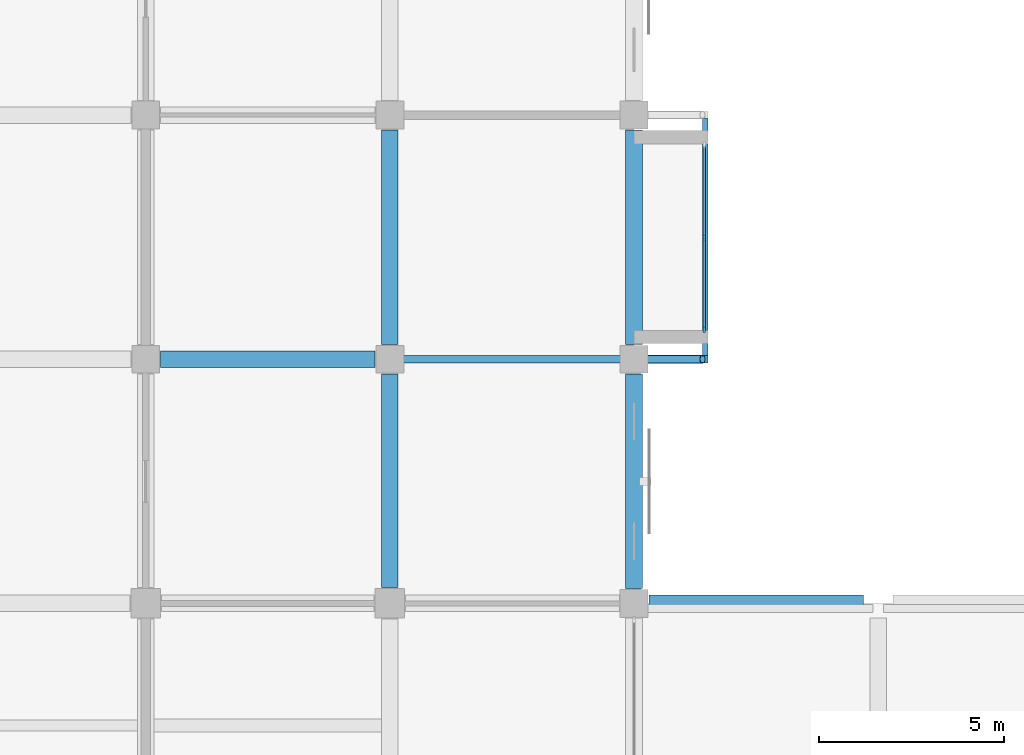
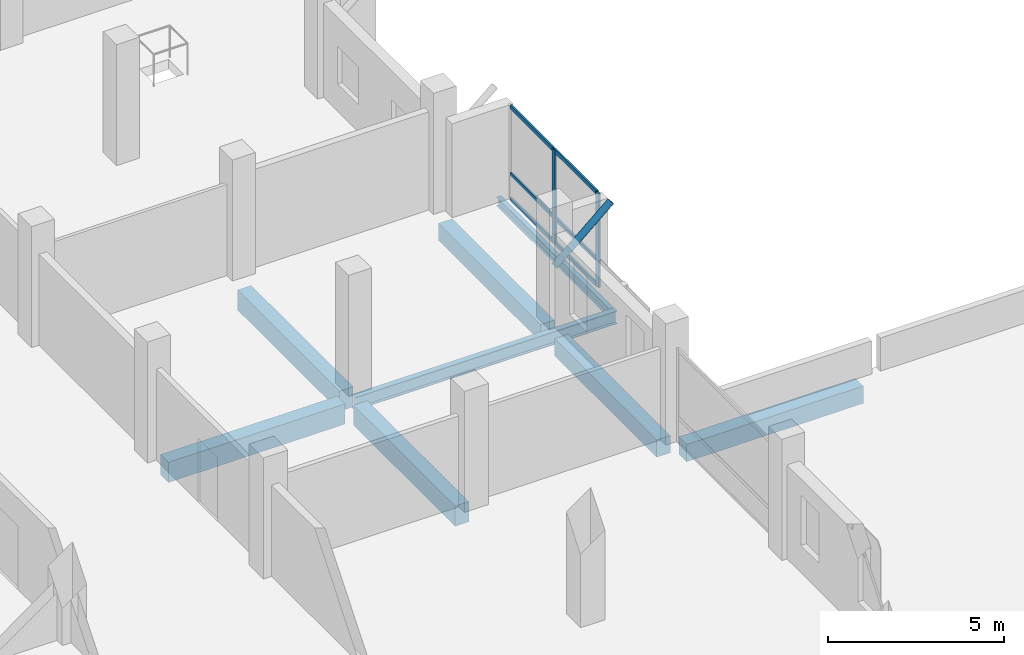
# One storey, part 8 of 23: 9 members, 8 beams, 1 element without a shape of its own.
"""IFC4 building model written with IfcOpenShell, lengths in metres."""

from ifc_helpers import new_model, si_unit, direction, frame, origin, origin_2d, place, context, subcontext, project, spatial, rectangle, hollow_circle, i_section, extrude, material, material_profile, profile_set, type_object, element, aggregate, save


model = new_model("IFC4")

# Units and contexts
model_context = context("Model", 3, precision=1e-05, world=origin(), true_north=direction((0.0, 1.0)))
body_context = subcontext(model_context, "Body", "Model", "MODEL_VIEW")
ifc_project = project(units=[si_unit("LENGTHUNIT", "METRE"), si_unit("AREAUNIT", "SQUARE_METRE"), si_unit("VOLUMEUNIT", "CUBIC_METRE"), si_unit("PLANEANGLEUNIT", "RADIAN"), si_unit("MASSUNIT", "GRAM", prefix="KILO")], contexts=[model_context])

# Site, building, storey
site_placement = place(None, origin())
site = spatial("IfcSite", under=ifc_project, at=site_placement, CompositionType="ELEMENT")
building_placement = place(site_placement, origin())
building = spatial("IfcBuilding", under=site, at=building_placement, Name="Rusizi Kubbe Research Institute", CompositionType="ELEMENT")
storey_placement = place(building_placement, frame((0.0, 0.0, 18.60009765625)))
storey = spatial("IfcBuildingStorey", under=building, at=storey_placement, Name="L04", CompositionType="ELEMENT", Elevation=18.60009765625)

# Beams
ifc_material_1 = material(Name="Steel S355", Category="steel")
ifc_material_profile_1 = material_profile(ifc_material_1, i_section(OverallWidth=0.14990234375, OverallDepth=0.300048828125, WebThickness=0.007080078125, FlangeThickness=0.0107421875, at=origin_2d()), Name="IPE 300")
ifc_profile_set_1 = profile_set([ifc_material_profile_1], Name="Steel S355")
beam_type_1 = type_object("IfcBeamType", Name="BM-IPE300", PredefinedType="BEAM", material=ifc_profile_set_1)
beam_1_placement = place(storey_placement, frame((28.324951171875, 59.4951171875, -0.489990234375), z_axis=(0.0, 1.0, 0.0), x_axis=(-1.0, 0.0, 0.0)))
element("IfcBeam", 1, at=beam_1_placement, inside=storey, type_object=beam_type_1, Name="Cumba Edge Tie Beam L04-1", PredefinedType="BEAM", context=body_context, shape_type="SweptSolid", body=[
    extrude(i_section(OverallWidth=0.14990234375, OverallDepth=0.300048828125, WebThickness=0.007080078125, FlangeThickness=0.0107421875, at=origin_2d()), origin(), (0.0, 0.0, 1.0), 6.409912109375),
])
ifc_material_2 = material(Name="Steel S355", Category="steel")
ifc_material_profile_2 = material_profile(ifc_material_2, i_section(OverallWidth=0.18994140625, OverallDepth=0.449951171875, WebThickness=0.009521484375, FlangeThickness=0.0146484375, at=origin_2d()), Name="IPE 450")
ifc_profile_set_2 = profile_set([ifc_material_profile_2], Name="Steel S355")
beam_type_2 = type_object("IfcBeamType", Name="BM-IPE450", PredefinedType="BEAM", material=ifc_profile_set_2)
beam_2_placement = place(storey_placement, frame((19.800048828125, 59.39990234375, -0.565185546875), z_axis=(1.0, 0.0, 0.0), x_axis=(0.0, 1.0, 0.0)))
element("IfcBeam", 2, at=beam_2_placement, inside=storey, type_object=beam_type_2, Name="Cumba Back-Spanned Cantilever Beam L04-1S", PredefinedType="BEAM", context=body_context, shape_type="SweptSolid", body=[
    extrude(i_section(OverallWidth=0.18994140625, OverallDepth=0.449951171875, WebThickness=0.009521484375, FlangeThickness=0.0146484375, at=origin_2d()), origin(), (0.0, 0.0, 1.0), 8.599853515625),
])
ifc_material_3 = material(Name="Concrete C40/50", Category="concrete")
ifc_material_profile_3 = material_profile(ifc_material_3, rectangle(XDim=0.449951171875, YDim=0.60009765625, at=origin_2d()), Name="RC450x600")
ifc_profile_set_3 = profile_set([ifc_material_profile_3], Name="Concrete C40/50")
beam_type_3 = type_object("IfcBeamType", Name="BM-RC450x600", PredefinedType="SPANDREL", material=ifc_profile_set_3)
for number, where, z_axis, x_axis, name in (
    (3, (26.800048828125, 52.800048828125, -0.64013671875), (1.0, 0.0, 0.0), (0.0, 1.0, 0.0), "Grid Beam H L04 (4,8)"),
    (4, (26.39990234375, 53.199951171875, -0.64013671875), (0.0, 1.0, 0.0), (-1.0, 0.0, 0.0), "Grid Beam V L04 (4,8)"),
    (5, (26.39990234375, 59.800048828125, -0.64013671875), (0.0, 1.0, 0.0), (-1.0, 0.0, 0.0), "Grid Beam V L04 (4,9)"),
):
    element("IfcBeam", number, at=place(storey_placement, frame(where, z_axis=z_axis, x_axis=x_axis)), inside=storey, type_object=beam_type_3, Name=name, PredefinedType="SPANDREL", context=body_context, shape_type="SweptSolid", body=[
        extrude(rectangle(XDim=0.449951171875, YDim=0.60009765625, at=origin_2d()), origin(), (0.0, 0.0, 1.0), 5.800048828125),
    ])
ifc_material_4 = material(Name="Concrete C40/50", Category="concrete")
ifc_material_profile_4 = material_profile(ifc_material_4, rectangle(XDim=0.449951171875, YDim=0.699951171875, at=origin_2d()), Name="RC450x700B")
ifc_profile_set_4 = profile_set([ifc_material_profile_4], Name="Concrete C40/50")
beam_type_4 = type_object("IfcBeamType", Name="BM-RC450x700", PredefinedType="BEAM", material=ifc_profile_set_4)
beam_3_placement = place(storey_placement, frame((13.60009765625, 59.39990234375, -0.690185546875), z_axis=(1.0, 0.0, 0.0), x_axis=(0.0, 1.0, 0.0)))
element("IfcBeam", 6, at=beam_3_placement, inside=storey, type_object=beam_type_4, Name="Grid Beam H L04 (2,9)", PredefinedType="BEAM", context=body_context, shape_type="SweptSolid", body=[
    extrude(rectangle(XDim=0.449951171875, YDim=0.699951171875, at=origin_2d()), origin(), (0.0, 0.0, 1.0), 5.7998046875),
])
beam_4_placement = place(storey_placement, frame((19.800048828125, 53.22509765625, -0.690185546875), z_axis=(0.0, 1.0, 0.0), x_axis=(-1.0, 0.0, 0.0)))
element("IfcBeam", 7, at=beam_4_placement, inside=storey, type_object=beam_type_4, Name="Grid Beam V L04 (3,8)", PredefinedType="BEAM", context=body_context, shape_type="SweptSolid", body=[
    extrude(rectangle(XDim=0.449951171875, YDim=0.699951171875, at=origin_2d()), origin(), (0.0, 0.0, 1.0), 5.77490234375),
])
beam_5_placement = place(storey_placement, frame((19.800048828125, 59.800048828125, -0.690185546875), z_axis=(0.0, 1.0, 0.0), x_axis=(-1.0, 0.0, 0.0)))
element("IfcBeam", 8, at=beam_5_placement, inside=storey, type_object=beam_type_4, Name="Grid Beam V L04 (3,9)", PredefinedType="BEAM", context=body_context, shape_type="SweptSolid", body=[
    extrude(rectangle(XDim=0.449951171875, YDim=0.699951171875, at=origin_2d()), origin(), (0.0, 0.0, 1.0), 5.800048828125),
])

# Member
ifc_material_5 = material(Name="Steel S355", Category="steel")
ifc_material_profile_5 = material_profile(ifc_material_5, hollow_circle(Radius=0.109619140625, WallThickness=0.008056640625, at=origin_2d()), Name="CHS 219.1x8.0")
ifc_profile_set_5 = profile_set([ifc_material_profile_5], Name="Steel S355")
member_type_1 = type_object("IfcMemberType", Name="MB-CHS219", PredefinedType="BRACE", material=ifc_profile_set_5)
member_1_placement = place(storey_placement, frame((26.39990234375, 59.39990234375, 1.85986328125), z_axis=(0.756360503059, 0.0, 0.654155019405), x_axis=(0.0, 1.0, 0.0)))
element("IfcMember", 9, at=member_1_placement, inside=storey, type_object=member_type_1, Name="Cumba Diagonal Corbel Brace L05-1S", PredefinedType="BRACE", context=body_context, shape_type="SweptSolid", body=[
    extrude(hollow_circle(Radius=0.109619140625, WallThickness=0.008056640625, at=origin_2d()), origin(), (0.0, 0.0, 1.0), 2.446044921875),
])

# Curtain wall, members
ifc_material_6 = material(Name="Thermally Broken Aluminium and Low-E Glazing", Category="aluminium")
curtain_wall_type = type_object("IfcCurtainWallType", Name="CW-01", PredefinedType="NOTDEFINED", material=ifc_material_6)
curtain_wall_placement = place(storey_placement, origin())
curtain_wall = element("IfcCurtainWall", 10, at=curtain_wall_placement, inside=storey, type_object=curtain_wall_type, Name="Cumba Glazed Curtain Wall CW-CUMBA-L04-049", PredefinedType="NOTDEFINED")
ifc_material_7 = material(Name="Aluminium Alloy 6063-T6", Category="aluminium")
ifc_material_profile_6 = material_profile(ifc_material_7, rectangle(XDim=0.06005859375, YDim=0.179931640625, at=origin_2d()), Name="ALU-M 60x180")
ifc_profile_set_6 = profile_set([ifc_material_profile_6], Name="Aluminium Alloy 6063-T6")
member_type_2 = type_object("IfcMemberType", Name="ML-02", PredefinedType="MULLION", material=ifc_profile_set_6)
member_2_placement = place(storey_placement, frame((28.300048828125, 60.21240234375, 0.0), z_axis=(0.0, 0.0, 1.0), x_axis=(-1.0, 0.0, 0.0)))
member_2 = element("IfcMember", 11, at=member_2_placement, type_object=member_type_2, Name="CW-01 mullion 1", PredefinedType="MULLION", context=body_context, shape_type="SweptSolid", body=[
    extrude(rectangle(XDim=0.06005859375, YDim=0.179931640625, at=origin_2d()), origin(), (0.0, 0.0, 1.0), 3.260009765625),
])
member_3_placement = place(storey_placement, frame((28.300048828125, 62.699951171875, 0.0), z_axis=(0.0, 0.0, 1.0), x_axis=(-1.0, 0.0, 0.0)))
member_3 = element("IfcMember", 12, at=member_3_placement, type_object=member_type_2, Name="CW-01 mullion 2", PredefinedType="MULLION", context=body_context, shape_type="SweptSolid", body=[
    extrude(rectangle(XDim=0.06005859375, YDim=0.179931640625, at=origin_2d()), origin(), (0.0, 0.0, 1.0), 3.260009765625),
])
ifc_material_8 = material(Name="Aluminium Alloy 6063-T6", Category="aluminium")
ifc_material_profile_7 = material_profile(ifc_material_8, rectangle(XDim=0.06005859375, YDim=0.139892578125, at=origin_2d()), Name="ALU-T 60x140")
ifc_profile_set_7 = profile_set([ifc_material_profile_7], Name="Aluminium Alloy 6063-T6")
member_type_3 = type_object("IfcMemberType", Name="TR-02", PredefinedType="USERDEFINED", material=ifc_profile_set_7)
member_4_placement = place(storey_placement, frame((28.300048828125, 60.242431640625, 0.02978515625), z_axis=(0.0, 1.0, 0.0), x_axis=(-1.0, 0.0, 0.0)))
member_4 = element("IfcMember", 13, at=member_4_placement, type_object=member_type_3, Name="CW-01 transom 1.1", ObjectType="TRANSOM", PredefinedType="USERDEFINED", context=body_context, shape_type="SweptSolid", body=[
    extrude(rectangle(XDim=0.06005859375, YDim=0.139892578125, at=origin_2d()), origin(), (0.0, 0.0, 1.0), 2.427490234375),
])
member_5_placement = place(storey_placement, frame((28.300048828125, 60.242431640625, 0.89990234375), z_axis=(0.0, 1.0, 0.0), x_axis=(-1.0, 0.0, 0.0)))
member_5 = element("IfcMember", 14, at=member_5_placement, type_object=member_type_3, Name="CW-01 transom 1.2", ObjectType="TRANSOM", PredefinedType="USERDEFINED", context=body_context, shape_type="SweptSolid", body=[
    extrude(rectangle(XDim=0.06005859375, YDim=0.139892578125, at=origin_2d()), origin(), (0.0, 0.0, 1.0), 2.427490234375),
])
member_6_placement = place(storey_placement, frame((28.300048828125, 60.242431640625, 3.22998046875), z_axis=(0.0, 1.0, 0.0), x_axis=(-1.0, 0.0, 0.0)))
member_6 = element("IfcMember", 15, at=member_6_placement, type_object=member_type_3, Name="CW-01 transom 1.3", ObjectType="TRANSOM", PredefinedType="USERDEFINED", context=body_context, shape_type="SweptSolid", body=[
    extrude(rectangle(XDim=0.06005859375, YDim=0.139892578125, at=origin_2d()), origin(), (0.0, 0.0, 1.0), 2.427490234375),
])
member_7_placement = place(storey_placement, frame((28.300048828125, 62.72998046875, 0.02978515625), z_axis=(0.0, 1.0, 0.0), x_axis=(-1.0, 0.0, 0.0)))
member_7 = element("IfcMember", 16, at=member_7_placement, type_object=member_type_3, Name="CW-01 transom 2.1", ObjectType="TRANSOM", PredefinedType="USERDEFINED", context=body_context, shape_type="SweptSolid", body=[
    extrude(rectangle(XDim=0.06005859375, YDim=0.139892578125, at=origin_2d()), origin(), (0.0, 0.0, 1.0), 2.427490234375),
])
member_8_placement = place(storey_placement, frame((28.300048828125, 62.72998046875, 0.89990234375), z_axis=(0.0, 1.0, 0.0), x_axis=(-1.0, 0.0, 0.0)))
member_8 = element("IfcMember", 17, at=member_8_placement, type_object=member_type_3, Name="CW-01 transom 2.2", ObjectType="TRANSOM", PredefinedType="USERDEFINED", context=body_context, shape_type="SweptSolid", body=[
    extrude(rectangle(XDim=0.06005859375, YDim=0.139892578125, at=origin_2d()), origin(), (0.0, 0.0, 1.0), 2.427490234375),
])
member_9_placement = place(storey_placement, frame((28.300048828125, 62.72998046875, 3.22998046875), z_axis=(0.0, 1.0, 0.0), x_axis=(-1.0, 0.0, 0.0)))
member_9 = element("IfcMember", 18, at=member_9_placement, type_object=member_type_3, Name="CW-01 transom 2.3", ObjectType="TRANSOM", PredefinedType="USERDEFINED", context=body_context, shape_type="SweptSolid", body=[
    extrude(rectangle(XDim=0.06005859375, YDim=0.139892578125, at=origin_2d()), origin(), (0.0, 0.0, 1.0), 2.427490234375),
])
aggregate(curtain_wall, [member_2, member_3, member_4, member_5, member_6, member_7, member_8, member_9])

save(model, "model.ifc")
